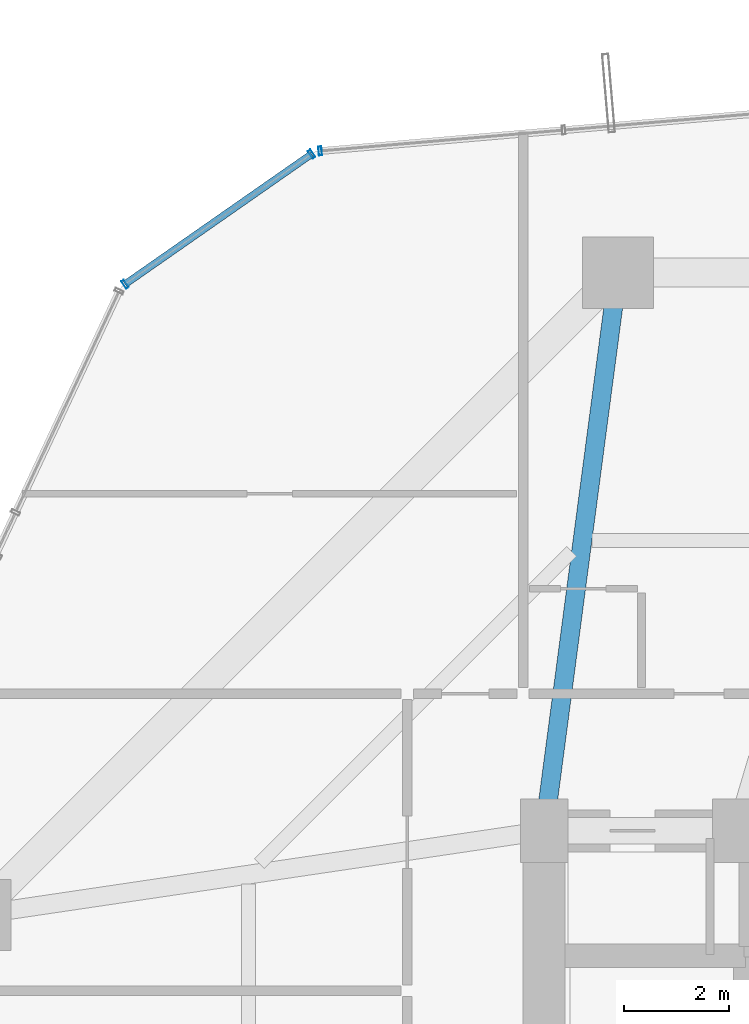
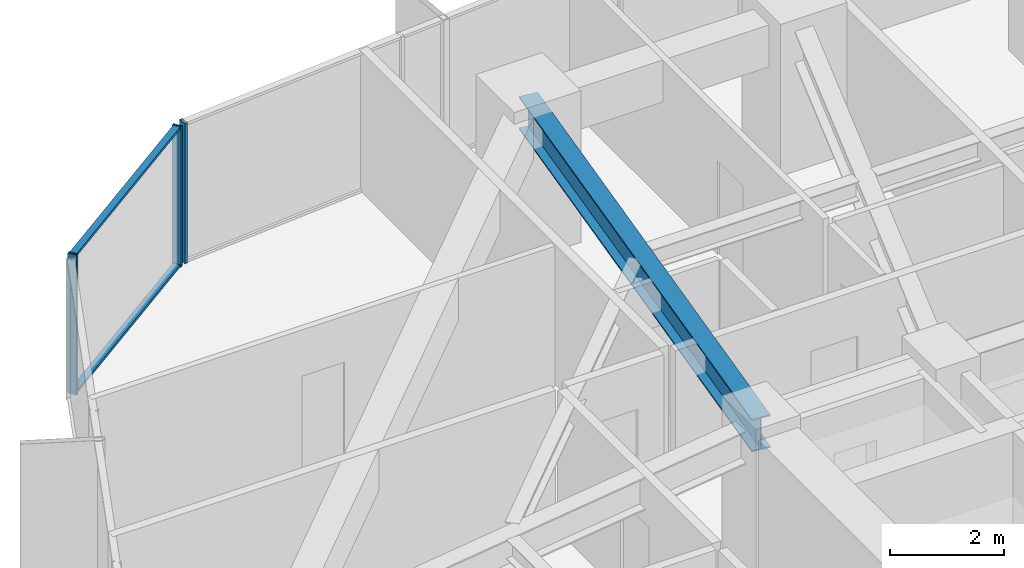
# One storey, part 23 of 37: 5 members, 1 beam, 2 elements without a shape of their own.
"""IFC4 building model written with IfcOpenShell, lengths in metres."""

from ifc_helpers import new_model, si_unit, direction, frame, origin, origin_2d, place, context, subcontext, project, spatial, hollow_rectangle, i_section, extrude, source, transform, mapped, material, layer, layer_set, material_profile, profile_set, type_object, element, aggregate, save


model = new_model("IFC4")

# Units and contexts
model_context = context("Model", 3, precision=1e-05, world=origin(), true_north=direction((0.0, 1.0)))
body_context = subcontext(model_context, "Body", "Model", "MODEL_VIEW")
ifc_project = project(units=[si_unit("LENGTHUNIT", "METRE"), si_unit("AREAUNIT", "SQUARE_METRE"), si_unit("VOLUMEUNIT", "CUBIC_METRE"), si_unit("PLANEANGLEUNIT", "RADIAN"), si_unit("MASSUNIT", "GRAM", prefix="KILO")], contexts=[model_context])

# Site, building, storey
site_placement = place(None, origin())
site = spatial("IfcSite", under=ifc_project, at=site_placement, CompositionType="ELEMENT")
building_placement = place(site_placement, origin())
building = spatial("IfcBuilding", under=site, at=building_placement, Name="Veraguas Prism Commons", CompositionType="ELEMENT")
storey_placement = place(building_placement, frame((0.0, 0.0, 40.300048828125)))
storey = spatial("IfcBuildingStorey", under=building, at=storey_placement, Name="L10", CompositionType="ELEMENT", Elevation=40.300048828125)

# Beam
ifc_material_1 = material(Name="Steel ASTM A992 Grade 50", Category="steel")
ifc_material_profile_1 = material_profile(ifc_material_1, i_section(OverallWidth=0.35595703125, OverallDepth=0.700927734375, WebThickness=0.016845703125, FlangeThickness=0.02734375, at=origin_2d()), Name="W690X240")
ifc_profile_set_1 = profile_set([ifc_material_profile_1], Name="Steel ASTM A992 Grade 50")
beam_type = type_object("IfcBeamType", Name="Zone 1 Radial Girder W690x240", PredefinedType="BEAM", material=ifc_profile_set_1)
beam_placement = place(storey_placement, frame((18.60009765625, 41.60009765625, 2.6494140625), z_axis=(-0.130950648891, -0.991388888154, 0.0), x_axis=(0.991388888154, -0.130950648891, 0.0)))
element("IfcBeam", 1, at=beam_placement, inside=storey, type_object=beam_type, Name="Radial Floor Girder L10-RD06", PredefinedType="BEAM", context=body_context, shape_type="SweptSolid", body=[
    extrude(i_section(OverallWidth=0.35595703125, OverallDepth=0.700927734375, WebThickness=0.016845703125, FlangeThickness=0.02734375, at=origin_2d()), origin(), (0.0, 0.0, 1.0), 10.692138671875),
])

# Curtain wall, member
ifc_material_2 = material(Name="Anodised aluminium EN AW-6063 T6", Category="aluminium")
ifc_layer = layer(ifc_material_2, 0.169921875, Name="Unitised Flush Curtain Wall Zone 1", Category="aluminium")
ifc_layer_set = layer_set([ifc_layer], Name="Anodised aluminium EN AW-6063 T6")
curtain_wall_type = type_object("IfcCurtainWallType", Name="Unitised Flush Curtain Wall Zone 1", PredefinedType="NOTDEFINED", material=ifc_layer_set)
curtain_wall_1_placement = place(storey_placement, origin())
curtain_wall_1 = element("IfcCurtainWall", 2, at=curtain_wall_1_placement, inside=storey, type_object=curtain_wall_type, Name="Tower Facade Curtain Wall L10-F2", PredefinedType="NOTDEFINED")
ifc_material_profile_2 = material_profile(ifc_material_2, hollow_rectangle(XDim=0.06005859375, YDim=0.169921875, WallThickness=0.00390625, at=origin_2d()), Name="AL60X170X4")
ifc_profile_set_2 = profile_set([ifc_material_profile_2], Name="Anodised aluminium EN AW-6063 T6")
member_type_1 = type_object("IfcMemberType", Name="Curtain Wall Mullion Lower AL 60x170x4", PredefinedType="MULLION", material=ifc_profile_set_2)
shared_shape_1 = source(origin(), body_context, "Body", "SweptSolid", [
    extrude(hollow_rectangle(XDim=0.06005859375, YDim=0.169921875, WallThickness=0.00390625, at=origin_2d()), origin(), (0.0, 0.0, 1.0), 3.0),
])
member_1_placement = place(storey_placement, frame((12.94677734375, 43.913330078125, 0.0), z_axis=(0.0, 0.0, 1.0), x_axis=(-0.996345296191, -0.085416923137, 0.0)))
member_1 = element("IfcMember", 3, at=member_1_placement, type_object=member_type_1, Name="CW-Z1 Mullion 5", PredefinedType="MULLION", context=body_context, shape_type="MappedRepresentation", body=[
    mapped(shared_shape_1, transform((0.0, 0.0, 0.0), scale=1.0)),
])
aggregate(curtain_wall_1, [member_1])

# Curtain wall, members
curtain_wall_2_placement = place(storey_placement, origin())
curtain_wall_2 = element("IfcCurtainWall", 4, at=curtain_wall_2_placement, inside=storey, type_object=curtain_wall_type, Name="Chamfer Curtain Wall L10-C3", PredefinedType="NOTDEFINED")
member_2_placement = place(storey_placement, frame((12.783203125, 43.854248046875, 0.0), z_axis=(0.0, 0.0, 1.0), x_axis=(-0.82014388713, -0.57215732487, 0.0)))
member_2 = element("IfcMember", 5, at=member_2_placement, type_object=member_type_1, Name="CW-Z1 Mullion 1", PredefinedType="MULLION", context=body_context, shape_type="MappedRepresentation", body=[
    mapped(shared_shape_1, transform((0.0, 0.0, 0.0), scale=1.0)),
])
member_3_placement = place(storey_placement, frame((9.240234375, 41.38232421875, 0.0), z_axis=(0.0, 0.0, 1.0), x_axis=(-0.82014388713, -0.57215732487, 0.0)))
member_3 = element("IfcMember", 6, at=member_3_placement, type_object=member_type_1, Name="CW-Z1 Mullion 2", PredefinedType="MULLION", context=body_context, shape_type="MappedRepresentation", body=[
    mapped(shared_shape_1, transform((0.0, 0.0, 0.0), scale=1.0)),
])
ifc_material_profile_3 = material_profile(ifc_material_2, hollow_rectangle(XDim=0.054931640625, YDim=0.135009765625, WallThickness=0.0029296875, at=origin_2d()), Name="AL55X135X3")
ifc_profile_set_3 = profile_set([ifc_material_profile_3], Name="Anodised aluminium EN AW-6063 T6")
member_type_2 = type_object("IfcMemberType", Name="Curtain Wall Transom Standard AL 55x135x3", PredefinedType="USERDEFINED", material=ifc_profile_set_3)
shared_shape_2 = source(origin(), body_context, "Body", "SweptSolid", [
    extrude(hollow_rectangle(XDim=0.054931640625, YDim=0.135009765625, WallThickness=0.0029296875, at=origin_2d()), origin(), (0.0, 0.0, 1.0), 4.320068359375),
])
member_4_placement = place(storey_placement, frame((12.783203125, 43.854248046875, 0.02734375), z_axis=(-0.820117703236, -0.572194855655, 0.0), x_axis=(0.0, 0.0, 1.0)))
member_4 = element("IfcMember", 7, at=member_4_placement, type_object=member_type_2, Name="CW-Z1 Transom 1", ObjectType="TRANSOM", PredefinedType="USERDEFINED", context=body_context, shape_type="MappedRepresentation", body=[
    mapped(shared_shape_2, transform((0.0, 0.0, 0.0), scale=1.0)),
])
member_5_placement = place(storey_placement, frame((12.783203125, 43.854248046875, 2.972412109375), z_axis=(-0.820117703236, -0.572194855655, 0.0), x_axis=(0.0, 0.0, 1.0)))
member_5 = element("IfcMember", 8, at=member_5_placement, type_object=member_type_2, Name="CW-Z1 Transom 2", ObjectType="TRANSOM", PredefinedType="USERDEFINED", context=body_context, shape_type="MappedRepresentation", body=[
    mapped(shared_shape_2, transform((0.0, 0.0, 0.0), scale=1.0)),
])
aggregate(curtain_wall_2, [member_2, member_3, member_4, member_5])

save(model, "model.ifc")
